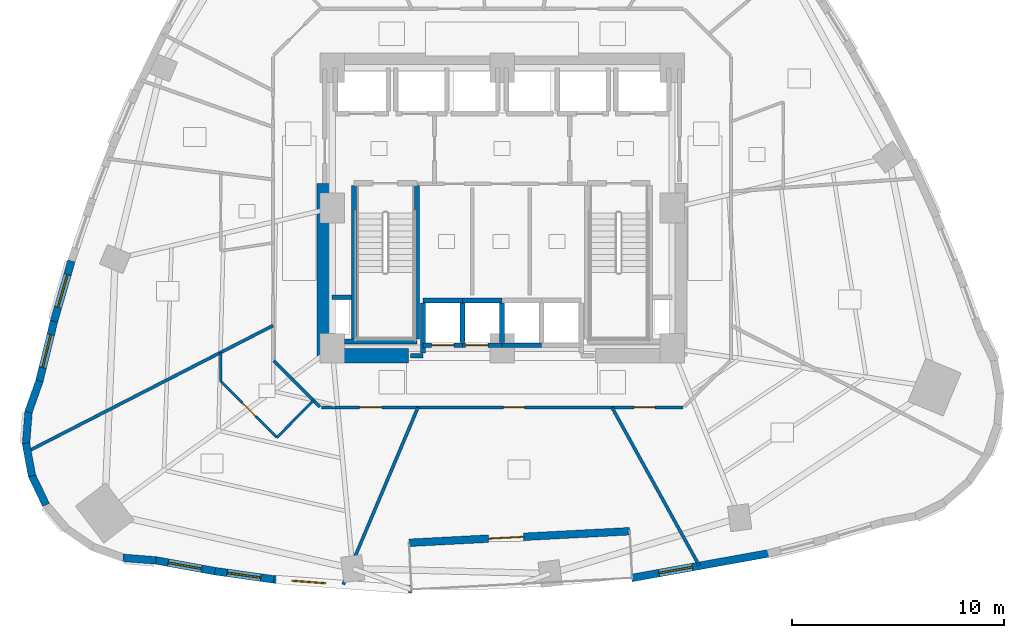
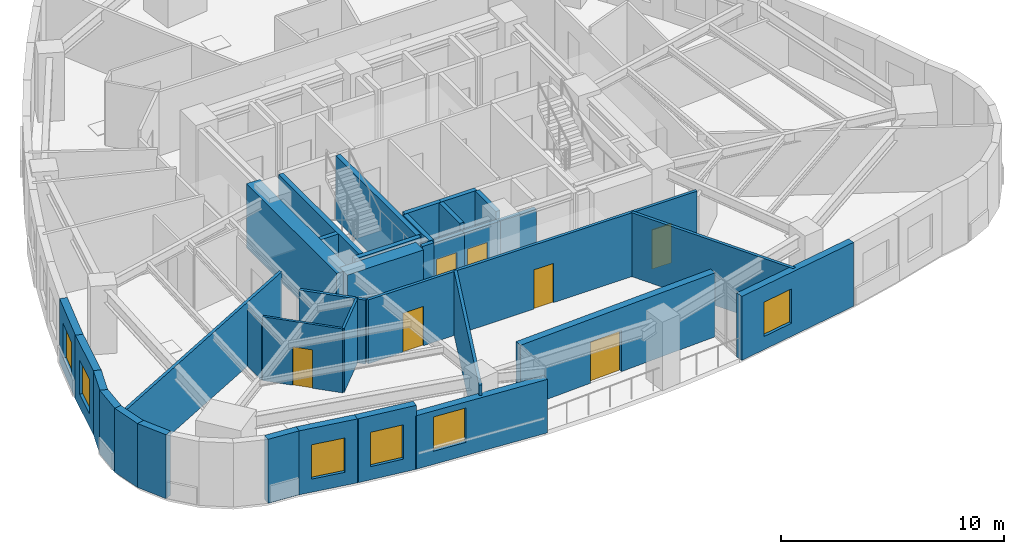
# One storey, part 4 of 11: 35 walls, 7 doors, 6 windows, 13 openings.
"""IFC4 building model written with IfcOpenShell, lengths in metres."""

from ifc_helpers import new_model, si_unit, direction, frame, frame_2d, origin, place, context, subcontext, project, spatial, rectangle, extrude, material, layer, layer_set, type_object, element, fill, save


model = new_model("IFC4")

# Units and contexts
model_context = context("Model", 3, precision=1e-05, world=origin(), true_north=direction((0.0, 1.0)))
body_context = subcontext(model_context, "Body", "Model", "MODEL_VIEW")
ifc_project = project(units=[si_unit("LENGTHUNIT", "METRE"), si_unit("AREAUNIT", "SQUARE_METRE"), si_unit("VOLUMEUNIT", "CUBIC_METRE"), si_unit("PLANEANGLEUNIT", "RADIAN"), si_unit("MASSUNIT", "GRAM", prefix="KILO")], contexts=[model_context])

# Site, building, storey
site_placement = place(None, origin())
site = spatial("IfcSite", under=ifc_project, at=site_placement, CompositionType="ELEMENT")
building_placement = place(site_placement, origin())
building = spatial("IfcBuilding", under=site, at=building_placement, Name="Ndelora Gate Hotel", CompositionType="ELEMENT")
storey_placement = place(building_placement, frame((0.0, 0.0, 45.5)))
storey = spatial("IfcBuildingStorey", under=building, at=storey_placement, Name="L10", CompositionType="ELEMENT", Elevation=45.5)

# Wall, opening, door
ifc_material_1 = material(Name="Clay Brick Masonry", Category="masonry")
ifc_layer_1 = layer(ifc_material_1, 0.360107421875)
ifc_layer_set_1 = layer_set([ifc_layer_1], Name="Clay Brick Masonry")
wall_type_1 = type_object("IfcWallType", Name="WL-BRICK-360", PredefinedType="SOLIDWALL", material=ifc_layer_set_1)
wall_1_placement = place(storey_placement, frame((6.004150390625, -15.20849609375, 0.0), z_axis=(0.0, 0.0, 1.0), x_axis=(-0.998630058509, -0.052325961458, 0.0)))
wall_1 = element("IfcWall", 1, at=wall_1_placement, inside=storey, type_object=wall_type_1, Name="L10 Sky-Garden Loggia Rear Brick Wall", PredefinedType="SOLIDWALL", context=body_context, shape_type="SweptSolid", body=[
    extrude(rectangle(XDim=10.39990234375, YDim=0.360107421875, at=frame_2d((5.199951171875, 0.0))), origin(), (0.0, 0.0, 1.0), 3.5),
])
opening_1_placement = place(wall_1_placement, frame((5.0, 0.0, 0.0)))
opening_1 = element("IfcOpeningElement", 2, at=opening_1_placement, cuts=wall_1, Name="Opening TD1", PredefinedType="OPENING", context=body_context, shape_type="SweptSolid", body=[
    extrude(rectangle(XDim=1.64990234375, YDim=2.25, at=frame_2d((0.824951171875, 1.125))), frame((0.0, 0.18994140625, 0.0), z_axis=(0.0, -1.0, 0.0), x_axis=(1.0, 0.0, 0.0)), (0.0, 0.0, 1.0), 0.380126953125),
])
ifc_material_2 = material(Name="Architectural Bronze Glazed Door", Category="metal")
door_type_1 = type_object("IfcDoorType", Name="DR-TER-1650", OperationType="DOUBLE_DOOR_SINGLE_SWING", PredefinedType="DOOR", material=ifc_material_2)
door_1_placement = place(opening_1_placement, origin())
door_1 = element("IfcDoor", 3, at=door_1_placement, inside=storey, type_object=door_type_1, Name="L10 Sky-Garden Terrace Double Door TD1", OperationType="DOUBLE_DOOR_SINGLE_SWING", OverallHeight=2.25, OverallWidth=1.64990234375, PredefinedType="DOOR", context=body_context, shape_type="SweptSolid", body=[
    extrude(rectangle(XDim=1.64990234375, YDim=2.25, at=frame_2d((0.824951171875, 1.125))), frame((0.0, 0.02490234375, 0.0), z_axis=(0.0, -1.0, 0.0), x_axis=(1.0, 0.0, 0.0)), (0.0, 0.0, 1.0), 0.050048828125),
])
fill(opening_1, door_1)

# Wall, opening, window
wall_2_placement = place(storey_placement, frame((-21.087890625, -5.326416015625, 0.0), z_axis=(0.0, 0.0, 1.0), x_axis=(0.277409452725, 0.960751786644, 0.0)))
wall_2 = element("IfcWall", 4, at=wall_2_placement, inside=storey, type_object=wall_type_1, Name="L10 Tower Brick Pier-and-Spandrel Wall TWR-19", PredefinedType="SOLIDWALL", context=body_context, shape_type="SweptSolid", body=[
    extrude(rectangle(XDim=2.96142578125, YDim=0.360107421875, at=frame_2d((1.480712890625, 0.0))), origin(), (0.0, 0.0, 1.0), 3.5),
])
opening_2_placement = place(wall_2_placement, frame((0.6806640625, 0.0, 0.719970703125)))
opening_2 = element("IfcOpeningElement", 5, at=opening_2_placement, cuts=wall_2, Name="Opening W01", PredefinedType="OPENING", context=body_context, shape_type="SweptSolid", body=[
    extrude(rectangle(XDim=1.60009765625, YDim=1.8798828125, at=frame_2d((0.800048828125, 0.93994140625))), frame((0.0, 0.18994140625, 0.0), z_axis=(0.0, -1.0, 0.0), x_axis=(1.0, 0.0, 0.0)), (0.0, 0.0, 1.0), 0.380126953125),
])
ifc_material_3 = material(Name="Insulated Low-E Double Glazing in Bronze Aluminium Frame", Category="aluminium")
window_type_1 = type_object("IfcWindowType", Name="WN-DEEP-1600", PartitioningType="SINGLE_PANEL", PredefinedType="WINDOW", material=ifc_material_3)
window_1_placement = place(opening_2_placement, origin())
window_1 = element("IfcWindow", 6, at=window_1_placement, inside=storey, type_object=window_type_1, Name="L10 Deep-Set Brick-Pier Window W01", OverallHeight=1.8798828125, OverallWidth=1.60009765625, PartitioningType="SINGLE_PANEL", PredefinedType="WINDOW", context=body_context, shape_type="SweptSolid", body=[
    extrude(rectangle(XDim=1.60009765625, YDim=1.8798828125, at=frame_2d((0.800048828125, 0.93994140625))), frame((0.0, 0.030029296875, 0.0), z_axis=(0.0, -1.0, 0.0), x_axis=(1.0, 0.0, 0.0)), (0.0, 0.0, 1.0), 0.06005859375),
])
fill(opening_2, window_1)

wall_3_placement = place(storey_placement, frame((-21.785888671875, -8.17919921875, 0.0), z_axis=(0.0, 0.0, 1.0), x_axis=(0.237936398685, 0.971280737058, 0.0)))
wall_3 = element("IfcWall", 7, at=wall_3_placement, inside=storey, type_object=wall_type_1, Name="L10 Tower Brick Pier-and-Spandrel Wall TWR-20", PredefinedType="SOLIDWALL", context=body_context, shape_type="SweptSolid", body=[
    extrude(rectangle(XDim=2.98681640625, YDim=0.360107421875, at=frame_2d((1.493408203125, 0.0))), origin(), (0.0, 0.0, 1.0), 3.5),
])
opening_3_placement = place(wall_3_placement, frame((0.693603515625, 0.0, 0.719970703125)))
opening_3 = element("IfcOpeningElement", 8, at=opening_3_placement, cuts=wall_3, Name="Opening W01", PredefinedType="OPENING", context=body_context, shape_type="SweptSolid", body=[
    extrude(rectangle(XDim=1.60009765625, YDim=1.8798828125, at=frame_2d((0.800048828125, 0.93994140625))), frame((0.0, 0.18994140625, 0.0), z_axis=(0.0, -1.0, 0.0), x_axis=(1.0, 0.0, 0.0)), (0.0, 0.0, 1.0), 0.380126953125),
])
window_2_placement = place(opening_3_placement, origin())
window_2 = element("IfcWindow", 9, at=window_2_placement, inside=storey, type_object=window_type_1, Name="L10 Deep-Set Brick-Pier Window W01", OverallHeight=1.8798828125, OverallWidth=1.60009765625, PartitioningType="SINGLE_PANEL", PredefinedType="WINDOW", context=body_context, shape_type="SweptSolid", body=[
    extrude(rectangle(XDim=1.60009765625, YDim=1.8798828125, at=frame_2d((0.800048828125, 0.93994140625))), frame((0.0, 0.030029296875, 0.0), z_axis=(0.0, -1.0, 0.0), x_axis=(1.0, 0.0, 0.0)), (0.0, 0.0, 1.0), 0.06005859375),
])
fill(opening_3, window_2)

# Walls
wall_4_placement = place(storey_placement, frame((-22.293701171875, -9.605712890625, 0.0), z_axis=(0.0, 0.0, 1.0), x_axis=(0.333734446931, 0.942667130503, 0.0)))
element("IfcWall", 10, at=wall_4_placement, inside=storey, type_object=wall_type_1, Name="L10 Tower Brick Pier-and-Spandrel Wall TWR-21", PredefinedType="SOLIDWALL", context=body_context, shape_type="SweptSolid", body=[
    extrude(rectangle(XDim=1.56396484375, YDim=0.360107421875, at=frame_2d((0.781982421875, 0.0))), origin(), (0.0, 0.0, 1.0), 3.5),
])
wall_5_placement = place(storey_placement, frame((-22.40625, -11.11669921875, 0.0), z_axis=(0.0, 0.0, 1.0), x_axis=(0.078510627557, 0.99691327675, 0.0)))
element("IfcWall", 11, at=wall_5_placement, inside=storey, type_object=wall_type_1, Name="L10 Tower Brick Pier-and-Spandrel Wall TWR-22", PredefinedType="SOLIDWALL", context=body_context, shape_type="SweptSolid", body=[
    extrude(rectangle(XDim=1.564208984375, YDim=0.360107421875, at=frame_2d((0.7822265625, 0.0))), origin(), (0.0, 0.0, 1.0), 3.5),
])
for number, where, z_axis, x_axis, name in (
    (12, (-22.123779296875, -12.60498046875, 0.0), (0.0, 0.0, 1.0), (-0.182318428527, 0.983239538779, 0.0), "L10 Tower Brick Pier-and-Spandrel Wall TWR-23"),
    (13, (-21.4658203125, -13.969482421875, 0.0), (0.0, 0.0, 1.0), (-0.430527307026, 0.902577552294, 0.0), "L10 Tower Brick Pier-and-Spandrel Wall TWR-24"),
):
    element("IfcWall", number, at=place(storey_placement, frame(where, z_axis=z_axis, x_axis=x_axis)), inside=storey, type_object=wall_type_1, Name=name, PredefinedType="SOLIDWALL", context=body_context, shape_type="SweptSolid", body=[
        extrude(rectangle(XDim=1.56396484375, YDim=0.360107421875, at=frame_2d((0.781982421875, 0.0))), origin(), (0.0, 0.0, 1.0), 3.5),
    ])
wall_6_placement = place(storey_placement, frame((-16.28369140625, -16.582275390625, 0.0), z_axis=(0.0, 0.0, 1.0), x_axis=(-0.99691327675, 0.078510627557, 0.0)))
element("IfcWall", 14, at=wall_6_placement, inside=storey, type_object=wall_type_1, Name="L10 Tower Brick Pier-and-Spandrel Wall TWR-28", PredefinedType="SOLIDWALL", context=body_context, shape_type="SweptSolid", body=[
    extrude(rectangle(XDim=1.564208984375, YDim=0.360107421875, at=frame_2d((0.7822265625, 0.0))), origin(), (0.0, 0.0, 1.0), 3.5),
])

# Wall, opening, window
wall_7_placement = place(storey_placement, frame((-13.50927734375, -17.087890625, 0.0), z_axis=(0.0, 0.0, 1.0), x_axis=(-0.983946038972, 0.17846622199, 0.0)))
wall_7 = element("IfcWall", 15, at=wall_7_placement, inside=storey, type_object=wall_type_1, Name="L10 Tower Brick Pier-and-Spandrel Wall TWR-29", PredefinedType="SOLIDWALL", context=body_context, shape_type="SweptSolid", body=[
    extrude(rectangle(XDim=2.8701171875, YDim=0.360107421875, at=frame_2d((1.43505859375, 0.0))), origin(), (0.0, 0.0, 1.0), 3.5),
])
opening_4_placement = place(wall_7_placement, frame((0.635009765625, 0.0, 0.719970703125)))
opening_4 = element("IfcOpeningElement", 16, at=opening_4_placement, cuts=wall_7, Name="Opening W03", PredefinedType="OPENING", context=body_context, shape_type="SweptSolid", body=[
    extrude(rectangle(XDim=1.60009765625, YDim=1.8798828125, at=frame_2d((0.800048828125, 0.93994140625))), frame((0.0, 0.18994140625, 0.0), z_axis=(0.0, -1.0, 0.0), x_axis=(1.0, 0.0, 0.0)), (0.0, 0.0, 1.0), 0.380126953125),
])
window_type_2 = type_object("IfcWindowType", Name="WN-CORN-2100", PartitioningType="SINGLE_PANEL", PredefinedType="WINDOW", material=ifc_material_3)
window_3_placement = place(opening_4_placement, origin())
window_3 = element("IfcWindow", 17, at=window_3_placement, inside=storey, type_object=window_type_2, Name="L10 Deep-Set Brick-Pier Window W03", OverallHeight=1.8798828125, OverallWidth=1.60009765625, PartitioningType="SINGLE_PANEL", PredefinedType="WINDOW", context=body_context, shape_type="SweptSolid", body=[
    extrude(rectangle(XDim=1.60009765625, YDim=1.8798828125, at=frame_2d((0.800048828125, 0.93994140625))), frame((0.0, 0.030029296875, 0.0), z_axis=(0.0, -1.0, 0.0), x_axis=(1.0, 0.0, 0.0)), (0.0, 0.0, 1.0), 0.06005859375),
])
fill(opening_4, window_3)

wall_8_placement = place(storey_placement, frame((-10.740234375, -17.4775390625, 0.0), z_axis=(0.0, 0.0, 1.0), x_axis=(-0.99018993195, 0.139727945179, 0.0)))
wall_8 = element("IfcWall", 18, at=wall_8_placement, inside=storey, type_object=wall_type_1, Name="L10 Tower Brick Pier-and-Spandrel Wall TWR-30", PredefinedType="SOLIDWALL", context=body_context, shape_type="SweptSolid", body=[
    extrude(rectangle(XDim=2.84619140625, YDim=0.360107421875, at=frame_2d((1.423095703125, 0.0))), origin(), (0.0, 0.0, 1.0), 3.5),
])
opening_5_placement = place(wall_8_placement, frame((0.623291015625, 0.0, 0.719970703125)))
opening_5 = element("IfcOpeningElement", 19, at=opening_5_placement, cuts=wall_8, Name="Opening W01", PredefinedType="OPENING", context=body_context, shape_type="SweptSolid", body=[
    extrude(rectangle(XDim=1.60009765625, YDim=1.8798828125, at=frame_2d((0.800048828125, 0.93994140625))), frame((0.0, 0.18994140625, 0.0), z_axis=(0.0, -1.0, 0.0), x_axis=(1.0, 0.0, 0.0)), (0.0, 0.0, 1.0), 0.380126953125),
])
window_4_placement = place(opening_5_placement, origin())
window_4 = element("IfcWindow", 20, at=window_4_placement, inside=storey, type_object=window_type_1, Name="L10 Deep-Set Brick-Pier Window W01", OverallHeight=1.8798828125, OverallWidth=1.60009765625, PartitioningType="SINGLE_PANEL", PredefinedType="WINDOW", context=body_context, shape_type="SweptSolid", body=[
    extrude(rectangle(XDim=1.60009765625, YDim=1.8798828125, at=frame_2d((0.800048828125, 0.93994140625))), frame((0.0, 0.030029296875, 0.0), z_axis=(0.0, -1.0, 0.0), x_axis=(1.0, 0.0, 0.0)), (0.0, 0.0, 1.0), 0.06005859375),
])
fill(opening_5, window_4)

wall_9_placement = place(storey_placement, frame((-4.241455078125, -17.951416015625, 0.0), z_axis=(0.0, 0.0, 1.0), x_axis=(-0.997332601372, 0.072990973697, 0.0)))
wall_9 = element("IfcWall", 21, at=wall_9_placement, inside=storey, type_object=wall_type_1, Name="L10 Tower Brick Pier-and-Spandrel Wall TWR-31", PredefinedType="SOLIDWALL", context=body_context, shape_type="SweptSolid", body=[
    extrude(rectangle(XDim=6.56591796875, YDim=0.360107421875, at=frame_2d((3.282958984375, 0.0))), origin(), (0.0, 0.0, 1.0), 2.929931640625),
])
opening_6_placement = place(wall_9_placement, frame((4.06005859375, 0.0, 0.719970703125)))
opening_6 = element("IfcOpeningElement", 22, at=opening_6_placement, cuts=wall_9, Name="Opening W01", PredefinedType="OPENING", context=body_context, shape_type="SweptSolid", body=[
    extrude(rectangle(XDim=1.60009765625, YDim=1.8798828125, at=frame_2d((0.800048828125, 0.93994140625))), frame((0.0, 0.18994140625, 0.0), z_axis=(0.0, -1.0, 0.0), x_axis=(1.0, 0.0, 0.0)), (0.0, 0.0, 1.0), 0.380126953125),
])
window_5_placement = place(opening_6_placement, origin())
window_5 = element("IfcWindow", 23, at=window_5_placement, inside=storey, type_object=window_type_1, Name="L10 Deep-Set Brick-Pier Window W01", OverallHeight=1.8798828125, OverallWidth=1.60009765625, PartitioningType="SINGLE_PANEL", PredefinedType="WINDOW", context=body_context, shape_type="SweptSolid", body=[
    extrude(rectangle(XDim=1.60009765625, YDim=1.8798828125, at=frame_2d((0.800048828125, 0.93994140625))), frame((0.0, 0.030029296875, 0.0), z_axis=(0.0, -1.0, 0.0), x_axis=(1.0, 0.0, 0.0)), (0.0, 0.0, 1.0), 0.06005859375),
])
fill(opening_6, window_5)

wall_10_placement = place(storey_placement, frame((12.55712890625, -16.24853515625, 0.0), z_axis=(0.0, 0.0, 1.0), x_axis=(-0.984232555833, -0.176879269667, 0.0)))
wall_10 = element("IfcWall", 24, at=wall_10_placement, inside=storey, type_object=wall_type_1, Name="L10 Tower Brick Pier-and-Spandrel Wall TWR-36", PredefinedType="SOLIDWALL", context=body_context, shape_type="SweptSolid", body=[
    extrude(rectangle(XDim=6.56591796875, YDim=0.360107421875, at=frame_2d((3.282958984375, 0.0))), origin(), (0.0, 0.0, 1.0), 3.5),
])
opening_7_placement = place(wall_10_placement, frame((3.659912109375, 0.0, 0.719970703125)))
opening_7 = element("IfcOpeningElement", 25, at=opening_7_placement, cuts=wall_10, Name="Opening W01", PredefinedType="OPENING", context=body_context, shape_type="SweptSolid", body=[
    extrude(rectangle(XDim=1.60009765625, YDim=1.8798828125, at=frame_2d((0.800048828125, 0.93994140625))), frame((0.0, 0.18994140625, 0.0), z_axis=(0.0, -1.0, 0.0), x_axis=(1.0, 0.0, 0.0)), (0.0, 0.0, 1.0), 0.380126953125),
])
window_6_placement = place(opening_7_placement, origin())
window_6 = element("IfcWindow", 26, at=window_6_placement, inside=storey, type_object=window_type_1, Name="L10 Deep-Set Brick-Pier Window W01", OverallHeight=1.8798828125, OverallWidth=1.60009765625, PartitioningType="SINGLE_PANEL", PredefinedType="WINDOW", context=body_context, shape_type="SweptSolid", body=[
    extrude(rectangle(XDim=1.60009765625, YDim=1.8798828125, at=frame_2d((0.800048828125, 0.93994140625))), frame((0.0, 0.030029296875, 0.0), z_axis=(0.0, -1.0, 0.0), x_axis=(1.0, 0.0, 0.0)), (0.0, 0.0, 1.0), 0.06005859375),
])
fill(opening_7, window_6)

# Walls
ifc_material_4 = material(Name="Concrete C60/75", Category="concrete")
ifc_layer_2 = layer(ifc_material_4, 0.699951171875)
ifc_layer_set_2 = layer_set([ifc_layer_2], Name="Concrete C60/75")
wall_type_2 = type_object("IfcWallType", Name="WL-CORE-700", PredefinedType="SHEAR", material=ifc_layer_set_2)
wall_11_placement = place(storey_placement, frame((-8.35009765625, -6.949951171875, 0.0), z_axis=(0.0, 0.0, 1.0), x_axis=(1.0, 0.0, 0.0)))
element("IfcWall", 27, at=wall_11_placement, inside=storey, type_object=wall_type_2, Name="L10 Core Shear Wall S-W", PredefinedType="SHEAR", context=body_context, shape_type="SweptSolid", body=[
    extrude(rectangle(XDim=3.9501953125, YDim=0.699951171875, at=frame_2d((1.97509765625, 0.0))), origin(), (0.0, 0.0, 1.0), 3.5),
])
wall_12_placement = place(storey_placement, frame((-8.35009765625, -6.949951171875, 0.0), z_axis=(0.0, 0.0, 1.0), x_axis=(0.0, 1.0, 0.0)))
element("IfcWall", 28, at=wall_12_placement, inside=storey, type_object=wall_type_2, Name="L10 Core Shear Wall W", PredefinedType="SHEAR", context=body_context, shape_type="SweptSolid", body=[
    extrude(rectangle(XDim=8.099853515625, YDim=0.699951171875, at=frame_2d((4.0498046875, 0.0))), origin(), (0.0, 0.0, 1.0), 3.5),
])
ifc_material_5 = material(Name="Concrete C40/50", Category="concrete")
ifc_layer_3 = layer(ifc_material_5, 0.199951171875)
ifc_layer_set_3 = layer_set([ifc_layer_3], Name="Concrete C40/50")
wall_type_3 = type_object("IfcWallType", Name="WL-FIRE-200", PredefinedType="PARTITIONING", material=ifc_layer_set_3)
wall_13_placement = place(storey_placement, frame((-4.320068359375, -6.949951171875, 0.0), z_axis=(0.0, 0.0, 1.0), x_axis=(1.0, 0.0, 0.0)))
element("IfcWall", 29, at=wall_13_placement, inside=storey, type_object=wall_type_3, Name="L10 Interior Wall IW-2", PredefinedType="PARTITIONING", context=body_context, shape_type="SweptSolid", body=[
    extrude(rectangle(XDim=0.60009765625, YDim=0.199951171875, at=frame_2d((0.300048828125, 0.0))), origin(), (0.0, 0.0, 1.0), 3.5),
])

# Wall, openings, doors
ifc_material_6 = material(Name="Fire-Rated Gypsum Stud Partition", Category="gypsum")
ifc_layer_4 = layer(ifc_material_6, 0.14990234375)
ifc_layer_set_4 = layer_set([ifc_layer_4], Name="Fire-Rated Gypsum Stud Partition")
wall_type_4 = type_object("IfcWallType", Name="WL-PART-150", PredefinedType="PARTITIONING", material=ifc_layer_set_4)
wall_14_placement = place(storey_placement, frame((8.510009765625, -9.3798828125, 0.0), z_axis=(0.0, 0.0, 1.0), x_axis=(-1.0, 0.0, 0.0)))
wall_14 = element("IfcWall", 30, at=wall_14_placement, inside=storey, type_object=wall_type_4, Name="L10 Interior Wall IW-5", PredefinedType="PARTITIONING", context=body_context, shape_type="SweptSolid", body=[
    extrude(rectangle(XDim=17.02001953125, YDim=0.14990234375, at=frame_2d((8.510009765625, 0.0))), origin(), (0.0, 0.0, 1.0), 3.5),
])
opening_8_placement = place(wall_14_placement, frame((7.44775390625, 0.0, 0.0)))
opening_8 = element("IfcOpeningElement", 31, at=opening_8_placement, cuts=wall_14, Name="Opening D01", PredefinedType="OPENING", context=body_context, shape_type="SweptSolid", body=[
    extrude(rectangle(XDim=1.0, YDim=2.14990234375, at=frame_2d((0.5, 1.074951171875))), frame((0.0, 0.0849609375, 0.0), z_axis=(0.0, -1.0, 0.0), x_axis=(1.0, 0.0, 0.0)), (0.0, 0.0, 1.0), 0.169921875),
])
opening_9_placement = place(wall_14_placement, frame((1.30859375, 0.0, 0.0)))
opening_9 = element("IfcOpeningElement", 32, at=opening_9_placement, cuts=wall_14, Name="Opening D01", PredefinedType="OPENING", context=body_context, shape_type="SweptSolid", body=[
    extrude(rectangle(XDim=1.0, YDim=2.14990234375, at=frame_2d((0.5, 1.074951171875))), frame((0.0, 0.0849609375, 0.0), z_axis=(0.0, -1.0, 0.0), x_axis=(1.0, 0.0, 0.0)), (0.0, 0.0, 1.0), 0.169921875),
])
opening_10_placement = place(wall_14_placement, frame((14.163818359375, 0.0, 0.0)))
opening_10 = element("IfcOpeningElement", 33, at=opening_10_placement, cuts=wall_14, Name="Opening D07", PredefinedType="OPENING", context=body_context, shape_type="SweptSolid", body=[
    extrude(rectangle(XDim=1.06005859375, YDim=2.14990234375, at=frame_2d((0.530029296875, 1.074951171875))), frame((0.0, 0.0849609375, 0.0), z_axis=(0.0, -1.0, 0.0), x_axis=(1.0, 0.0, 0.0)), (0.0, 0.0, 1.0), 0.169921875),
])
ifc_material_7 = material(Name="Acoustic Hardwood Guest Entrance Door", Category="wood")
door_type_2 = type_object("IfcDoorType", Name="DR-COR-1000", OperationType="SINGLE_SWING_LEFT", PredefinedType="DOOR", material=ifc_material_7)
door_2_placement = place(opening_8_placement, origin())
door_2 = element("IfcDoor", 34, at=door_2_placement, inside=storey, type_object=door_type_2, Name="L10 Sky Garden Tea Dining Room Entrance Door", OperationType="SINGLE_SWING_LEFT", OverallHeight=2.14990234375, OverallWidth=1.0, PredefinedType="DOOR", context=body_context, shape_type="SweptSolid", body=[
    extrude(rectangle(XDim=1.0, YDim=2.14990234375, at=frame_2d((0.5, 1.074951171875))), frame((0.0, 0.02490234375, 0.0), z_axis=(0.0, -1.0, 0.0), x_axis=(1.0, 0.0, 0.0)), (0.0, 0.0, 1.0), 0.050048828125),
])
fill(opening_8, door_2)
door_3_placement = place(opening_9_placement, origin())
door_3 = element("IfcDoor", 35, at=door_3_placement, inside=storey, type_object=door_type_2, Name="L10 Business Study Office Entrance Door", OperationType="SINGLE_SWING_LEFT", OverallHeight=2.14990234375, OverallWidth=1.0, PredefinedType="DOOR", context=body_context, shape_type="SweptSolid", body=[
    extrude(rectangle(XDim=1.0, YDim=2.14990234375, at=frame_2d((0.5, 1.074951171875))), frame((0.0, 0.02490234375, 0.0), z_axis=(0.0, -1.0, 0.0), x_axis=(1.0, 0.0, 0.0)), (0.0, 0.0, 1.0), 0.050048828125),
])
fill(opening_9, door_3)
ifc_material_8 = material(Name="Diplomatic Suite Acoustic Entrance Door", Category="wood")
door_type_3 = type_object("IfcDoorType", Name="DR-SUITE-1060", OperationType="SINGLE_SWING_LEFT", PredefinedType="DOOR", material=ifc_material_8)
door_4_placement = place(opening_10_placement, origin())
door_4 = element("IfcDoor", 36, at=door_4_placement, inside=storey, type_object=door_type_3, Name="L10 Corner Diplomatic Suite 1302 Entrance Door", OperationType="SINGLE_SWING_LEFT", OverallHeight=2.14990234375, OverallWidth=1.06005859375, PredefinedType="DOOR", context=body_context, shape_type="SweptSolid", body=[
    extrude(rectangle(XDim=1.06005859375, YDim=2.14990234375, at=frame_2d((0.530029296875, 1.074951171875))), frame((0.0, 0.02490234375, 0.0), z_axis=(0.0, -1.0, 0.0), x_axis=(1.0, 0.0, 0.0)), (0.0, 0.0, 1.0), 0.050048828125),
])
fill(opening_10, door_4)

# Walls
wall_15_placement = place(storey_placement, frame((-8.578369140625, -9.351806640625, 0.0), z_axis=(0.0, 0.0, 1.0), x_axis=(-0.707067066127, 0.707146494016, 0.0)))
element("IfcWall", 37, at=wall_15_placement, inside=storey, type_object=wall_type_4, Name="L10 Interior Wall IW-5", PredefinedType="PARTITIONING", context=body_context, shape_type="SweptSolid", body=[
    extrude(rectangle(XDim=3.07373046875, YDim=0.14990234375, at=frame_2d((1.536865234375, 0.0))), origin(), (0.0, 0.0, 1.0), 3.5),
])
wall_16_placement = place(storey_placement, frame((-10.780029296875, -5.529541015625, 0.0), z_axis=(0.0, 0.0, 1.0), x_axis=(-0.889778319353, -0.456392969281, 0.0)))
element("IfcWall", 38, at=wall_16_placement, inside=storey, type_object=wall_type_4, Name="L10 Interior Wall IW-5", PredefinedType="PARTITIONING", context=body_context, shape_type="SweptSolid", body=[
    extrude(rectangle(XDim=12.98828125, YDim=0.14990234375, at=frame_2d((6.494140625, 0.0))), origin(), (0.0, 0.0, 1.0), 3.5),
])
wall_17_placement = place(storey_placement, frame((-3.95751953125, -9.3798828125, 0.0), z_axis=(0.0, 0.0, 1.0), x_axis=(-0.388727710855, -0.921352683185, 0.0)))
element("IfcWall", 39, at=wall_17_placement, inside=storey, type_object=wall_type_4, Name="L10 Interior Wall IW-5", PredefinedType="PARTITIONING", context=body_context, shape_type="SweptSolid", body=[
    extrude(rectangle(XDim=9.04638671875, YDim=0.14990234375, at=frame_2d((4.523193359375, 0.0))), origin(), (0.0, 0.0, 1.0), 3.5),
])
wall_18_placement = place(storey_placement, frame((5.172607421875, -9.3798828125, 0.0), z_axis=(0.0, 0.0, 1.0), x_axis=(0.482894673272, -0.875678442424, 0.0)))
element("IfcWall", 40, at=wall_18_placement, inside=storey, type_object=wall_type_4, Name="L10 Interior Wall IW-5", PredefinedType="PARTITIONING", context=body_context, shape_type="SweptSolid", body=[
    extrude(rectangle(XDim=8.515380859375, YDim=0.14990234375, at=frame_2d((4.2578125, 0.0))), origin(), (0.0, 0.0, 1.0), 3.5),
])
ifc_layer_5 = layer(ifc_material_5, 0.219970703125)
ifc_layer_set_5 = layer_set([ifc_layer_5], Name="Concrete C40/50")
wall_type_5 = type_object("IfcWallType", Name="WL-SHAFT-220", PredefinedType="PARTITIONING", material=ifc_layer_set_5)
wall_19_placement = place(storey_placement, frame((-8.0, -4.199951171875, 0.0), z_axis=(0.0, 0.0, 1.0), x_axis=(1.0, 0.0, 0.0)))
element("IfcWall", 41, at=wall_19_placement, inside=storey, type_object=wall_type_5, Name="L10 Interior Wall IW-1", PredefinedType="PARTITIONING", context=body_context, shape_type="SweptSolid", body=[
    extrude(rectangle(XDim=0.909912109375, YDim=0.219970703125, at=frame_2d((0.455078125, 0.0))), origin(), (0.0, 0.0, 1.0), 3.5),
])

# Wall, opening, door
wall_20_placement = place(storey_placement, frame((-3.719970703125, -6.449951171875, 0.0), z_axis=(0.0, 0.0, 1.0), x_axis=(1.0, 0.0, 0.0)))
wall_20 = element("IfcWall", 42, at=wall_20_placement, inside=storey, type_object=wall_type_5, Name="L10 Interior Wall IW-1", PredefinedType="PARTITIONING", context=body_context, shape_type="SweptSolid", body=[
    extrude(rectangle(XDim=1.85986328125, YDim=0.219970703125, at=frame_2d((0.929931640625, 0.0))), origin(), (0.0, 0.0, 1.0), 3.080078125),
])
opening_11_placement = place(wall_20_placement, frame((0.39990234375, 0.0, 0.0)))
opening_11 = element("IfcOpeningElement", 43, at=opening_11_placement, cuts=wall_20, Name="Opening LD1", PredefinedType="OPENING", context=body_context, shape_type="SweptSolid", body=[
    extrude(rectangle(XDim=1.06005859375, YDim=2.14990234375, at=frame_2d((0.530029296875, 1.074951171875))), frame((0.0, 0.1201171875, 0.0), z_axis=(0.0, -1.0, 0.0), x_axis=(1.0, 0.0, 0.0)), (0.0, 0.0, 1.0), 0.239990234375),
])
ifc_material_9 = material(Name="Brushed Bronze Stainless Lift Landing Door", Category="metal")
door_type_4 = type_object("IfcDoorType", Name="DR-LD1", OperationType="DOUBLE_DOOR_SLIDING", PredefinedType="DOOR", material=ifc_material_9)
door_5_placement = place(opening_11_placement, origin())
door_5 = element("IfcDoor", 44, at=door_5_placement, inside=storey, type_object=door_type_4, Name="L10 Lift Landing Sliding Door P1A", OperationType="DOUBLE_DOOR_SLIDING", OverallHeight=2.14990234375, OverallWidth=1.06005859375, PredefinedType="DOOR", context=body_context, shape_type="SweptSolid", body=[
    extrude(rectangle(XDim=1.06005859375, YDim=2.14990234375, at=frame_2d((0.530029296875, 1.074951171875))), frame((0.0, 0.02490234375, 0.0), z_axis=(0.0, -1.0, 0.0), x_axis=(1.0, 0.0, 0.0)), (0.0, 0.0, 1.0), 0.050048828125),
])
fill(opening_11, door_5)

# Walls
wall_21_placement = place(storey_placement, frame((-3.719970703125, -4.35009765625, 0.0), z_axis=(0.0, 0.0, 1.0), x_axis=(1.0, 0.0, 0.0)))
element("IfcWall", 45, at=wall_21_placement, inside=storey, type_object=wall_type_5, Name="L10 Interior Wall IW-1", PredefinedType="PARTITIONING", context=body_context, shape_type="SweptSolid", body=[
    extrude(rectangle(XDim=1.85986328125, YDim=0.219970703125, at=frame_2d((0.929931640625, 0.0))), origin(), (0.0, 0.0, 1.0), 3.5),
])
wall_22_placement = place(storey_placement, frame((-3.719970703125, -6.830078125, 0.0), z_axis=(0.0, 0.0, 1.0), x_axis=(0.0, 1.0, 0.0)))
element("IfcWall", 46, at=wall_22_placement, inside=storey, type_object=wall_type_5, Name="L10 Interior Wall IW-1", PredefinedType="PARTITIONING", context=body_context, shape_type="SweptSolid", body=[
    extrude(rectangle(XDim=2.360107421875, YDim=0.219970703125, at=frame_2d((1.18017578125, 0.0))), origin(), (0.0, 0.0, 1.0), 3.5),
])
wall_23_placement = place(storey_placement, frame((-1.860107421875, -6.330078125, 0.0), z_axis=(0.0, 0.0, 1.0), x_axis=(0.0, 1.0, 0.0)))
element("IfcWall", 47, at=wall_23_placement, inside=storey, type_object=wall_type_5, Name="L10 Interior Wall IW-1", PredefinedType="PARTITIONING", context=body_context, shape_type="SweptSolid", body=[
    extrude(rectangle(XDim=1.860107421875, YDim=0.219970703125, at=frame_2d((0.93017578125, 0.0))), origin(), (0.0, 0.0, 1.0), 3.5),
])

# Wall, opening, door
wall_24_placement = place(storey_placement, frame((-1.860107421875, -6.449951171875, 0.0), z_axis=(0.0, 0.0, 1.0), x_axis=(1.0, 0.0, 0.0)))
wall_24 = element("IfcWall", 48, at=wall_24_placement, inside=storey, type_object=wall_type_5, Name="L10 Interior Wall IW-1", PredefinedType="PARTITIONING", context=body_context, shape_type="SweptSolid", body=[
    extrude(rectangle(XDim=1.860107421875, YDim=0.219970703125, at=frame_2d((0.93017578125, 0.0))), origin(), (0.0, 0.0, 1.0), 3.080078125),
])
opening_12_placement = place(wall_24_placement, frame((0.139892578125, 0.0, 0.0)))
opening_12 = element("IfcOpeningElement", 49, at=opening_12_placement, cuts=wall_24, Name="Opening LD1", PredefinedType="OPENING", context=body_context, shape_type="SweptSolid", body=[
    extrude(rectangle(XDim=1.06005859375, YDim=2.14990234375, at=frame_2d((0.530029296875, 1.074951171875))), frame((0.0, 0.1201171875, 0.0), z_axis=(0.0, -1.0, 0.0), x_axis=(1.0, 0.0, 0.0)), (0.0, 0.0, 1.0), 0.239990234375),
])
door_6_placement = place(opening_12_placement, origin())
door_6 = element("IfcDoor", 50, at=door_6_placement, inside=storey, type_object=door_type_4, Name="L10 Lift Landing Sliding Door P1B", OperationType="DOUBLE_DOOR_SLIDING", OverallHeight=2.14990234375, OverallWidth=1.06005859375, PredefinedType="DOOR", context=body_context, shape_type="SweptSolid", body=[
    extrude(rectangle(XDim=1.06005859375, YDim=2.14990234375, at=frame_2d((0.530029296875, 1.074951171875))), frame((0.0, 0.02490234375, 0.0), z_axis=(0.0, -1.0, 0.0), x_axis=(1.0, 0.0, 0.0)), (0.0, 0.0, 1.0), 0.050048828125),
])
fill(opening_12, door_6)

# Walls
for number, where, z_axis, x_axis, name in (
    (51, (-1.860107421875, -4.35009765625, 0.0), (0.0, 0.0, 1.0), (1.0, 0.0, 0.0), "L10 Interior Wall IW-1"),
    (52, (0.0, -6.330078125, 0.0), (0.0, 0.0, 1.0), (0.0, 1.0, 0.0), "L10 Interior Wall IW-1"),
):
    element("IfcWall", number, at=place(storey_placement, frame(where, z_axis=z_axis, x_axis=x_axis)), inside=storey, type_object=wall_type_5, Name=name, PredefinedType="PARTITIONING", context=body_context, shape_type="SweptSolid", body=[
        extrude(rectangle(XDim=1.860107421875, YDim=0.219970703125, at=frame_2d((0.93017578125, 0.0))), origin(), (0.0, 0.0, 1.0), 3.5),
    ])
wall_25_placement = place(storey_placement, frame((0.0, -6.449951171875, 0.0), z_axis=(0.0, 0.0, 1.0), x_axis=(1.0, 0.0, 0.0)))
element("IfcWall", 53, at=wall_25_placement, inside=storey, type_object=wall_type_5, Name="L10 Interior Wall IW-1", PredefinedType="PARTITIONING", context=body_context, shape_type="SweptSolid", body=[
    extrude(rectangle(XDim=1.860107421875, YDim=0.219970703125, at=frame_2d((0.93017578125, 0.0))), origin(), (0.0, 0.0, 1.0), 3.080078125),
])
ifc_material_10 = material(Name="Concrete C50/60", Category="concrete")
ifc_layer_6 = layer(ifc_material_10, 0.239990234375)
ifc_layer_set_6 = layer_set([ifc_layer_6], Name="Concrete C50/60")
wall_type_6 = type_object("IfcWallType", Name="WL-STAIR-240", PredefinedType="SHEAR", material=ifc_layer_set_6)
wall_26_placement = place(storey_placement, frame((-6.969970703125, -6.159912109375, 0.0), z_axis=(0.0, 0.0, 1.0), x_axis=(0.0, 1.0, 0.0)))
element("IfcWall", 54, at=wall_26_placement, inside=storey, type_object=wall_type_6, Name="L10 Stair Core Shear Wall SW-ST", PredefinedType="SHEAR", context=body_context, shape_type="SweptSolid", body=[
    extrude(rectangle(XDim=7.219970703125, YDim=0.239990234375, at=frame_2d((3.60986328125, 0.0))), origin(), (0.0, 0.0, 1.0), 3.5),
])
wall_27_placement = place(storey_placement, frame((-7.425048828125, -6.27001953125, 0.0), z_axis=(0.0, 0.0, 1.0), x_axis=(1.0, 0.0, 0.0)))
element("IfcWall", 55, at=wall_27_placement, inside=storey, type_object=wall_type_6, Name="L10 Stair Core Shear Wall SW-ST", PredefinedType="SHEAR", context=body_context, shape_type="SweptSolid", body=[
    extrude(rectangle(XDim=3.4150390625, YDim=0.239990234375, at=frame_2d((1.70751953125, 0.0))), origin(), (0.0, 0.0, 1.0), 3.5),
])
wall_28_placement = place(storey_placement, frame((-4.010009765625, -6.159912109375, 0.0), z_axis=(0.0, 0.0, 1.0), x_axis=(0.0, 1.0, 0.0)))
element("IfcWall", 56, at=wall_28_placement, inside=storey, type_object=wall_type_6, Name="L10 Stair Core Shear Wall SW-ST", PredefinedType="SHEAR", context=body_context, shape_type="SweptSolid", body=[
    extrude(rectangle(XDim=7.219970703125, YDim=0.239990234375, at=frame_2d((3.60986328125, 0.0))), origin(), (0.0, 0.0, 1.0), 3.5),
])
ifc_material_11 = material(Name="Moisture-Resistant Bathroom Tile Partition", Category="gypsum")
ifc_layer_7 = layer(ifc_material_11, 0.1201171875)
ifc_layer_set_7 = layer_set([ifc_layer_7], Name="Moisture-Resistant Bathroom Tile Partition")
wall_type_7 = type_object("IfcWallType", Name="WL-WET-120", PredefinedType="PARTITIONING", material=ifc_layer_set_7)
wall_29_placement = place(storey_placement, frame((-10.596435546875, -10.798583984375, 0.0), z_axis=(0.0, 0.0, 1.0), x_axis=(0.700399102338, 0.713751425529, 0.0)))
element("IfcWall", 57, at=wall_29_placement, inside=storey, type_object=wall_type_7, Name="L10 Interior Wall IW-7", PredefinedType="PARTITIONING", context=body_context, shape_type="SweptSolid", body=[
    extrude(rectangle(XDim=2.4501953125, YDim=0.1201171875, at=frame_2d((1.22509765625, 0.0))), origin(), (0.0, 0.0, 1.0), 3.5),
])

# Wall, opening, door
wall_30_placement = place(storey_placement, frame((-10.596435546875, -10.798583984375, 0.0), z_axis=(0.0, 0.0, 1.0), x_axis=(-0.707074006069, 0.707139554785, 0.0)))
wall_30 = element("IfcWall", 58, at=wall_30_placement, inside=storey, type_object=wall_type_7, Name="L10 Interior Wall IW-7", PredefinedType="PARTITIONING", context=body_context, shape_type="SweptSolid", body=[
    extrude(rectangle(XDim=3.724609375, YDim=0.1201171875, at=frame_2d((1.8623046875, 0.0))), origin(), (0.0, 0.0, 1.0), 3.5),
])
opening_13_placement = place(wall_30_placement, frame((1.40234375, 0.0, 0.0)))
opening_13 = element("IfcOpeningElement", 59, at=opening_13_placement, cuts=wall_30, Name="Opening D03", PredefinedType="OPENING", context=body_context, shape_type="SweptSolid", body=[
    extrude(rectangle(XDim=0.919921875, YDim=2.10009765625, at=frame_2d((0.4599609375, 1.050048828125))), frame((0.0, 0.070068359375, 0.0), z_axis=(0.0, -1.0, 0.0), x_axis=(1.0, 0.0, 0.0)), (0.0, 0.0, 1.0), 0.14013671875),
])
ifc_material_12 = material(Name="Moisture-Resistant Hardwood En-Suite Door", Category="wood")
door_type_5 = type_object("IfcDoorType", Name="DR-BATH-920", OperationType="SINGLE_SWING_LEFT", PredefinedType="DOOR", material=ifc_material_12)
door_7_placement = place(opening_13_placement, origin())
door_7 = element("IfcDoor", 60, at=door_7_placement, inside=storey, type_object=door_type_5, Name="L10 En-suite Bathroom 1302 Door", OperationType="SINGLE_SWING_LEFT", OverallHeight=2.10009765625, OverallWidth=0.919921875, PredefinedType="DOOR", context=body_context, shape_type="SweptSolid", body=[
    extrude(rectangle(XDim=0.919921875, YDim=2.10009765625, at=frame_2d((0.4599609375, 1.050048828125))), frame((0.0, 0.02490234375, 0.0), z_axis=(0.0, -1.0, 0.0), x_axis=(1.0, 0.0, 0.0)), (0.0, 0.0, 1.0), 0.050048828125),
])
fill(opening_13, door_7)

# Wall
wall_31_placement = place(storey_placement, frame((-13.22998046875, -6.7861328125, 0.0), z_axis=(0.0, 0.0, 1.0), x_axis=(0.0, -1.0, 0.0)))
element("IfcWall", 61, at=wall_31_placement, inside=storey, type_object=wall_type_7, Name="L10 Interior Wall IW-7", PredefinedType="PARTITIONING", context=body_context, shape_type="SweptSolid", body=[
    extrude(rectangle(XDim=1.378662109375, YDim=0.1201171875, at=frame_2d((0.689453125, 0.0))), origin(), (0.0, 0.0, 1.0), 3.1201171875),
])

save(model, "model.ifc")
